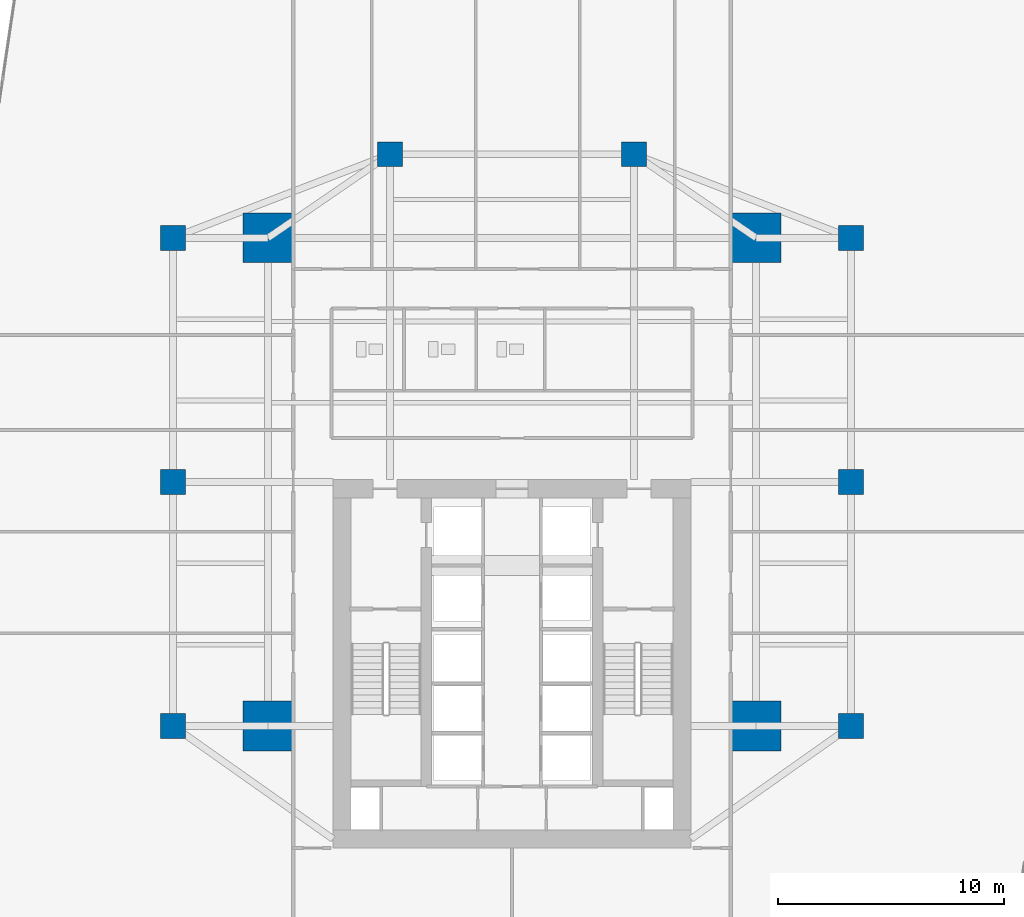
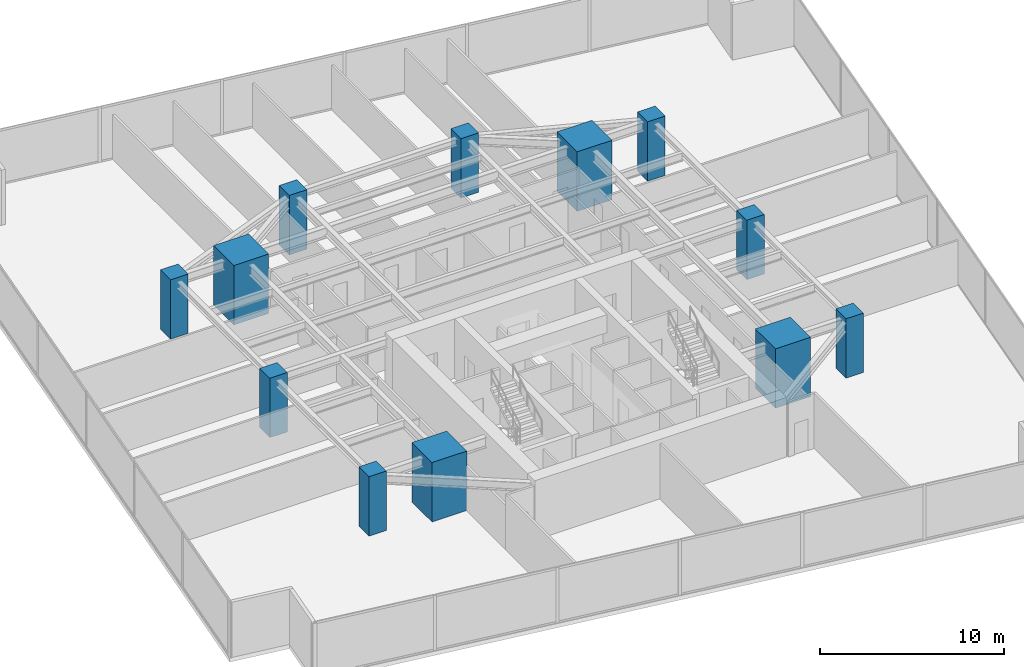
# One storey, part 1 of 29: 12 columns.
"""IFC4 building model written with IfcOpenShell, lengths in metres."""

from ifc_helpers import new_model, si_unit, direction, frame, origin, origin_2d, place, context, subcontext, project, spatial, rectangle, extrude, source, transform, mapped, material, material_profile, profile_set, type_object, type_shapes, element, save


model = new_model("IFC4")

# Units and contexts
model_context = context("Model", 3, precision=1e-05, world=origin(), true_north=direction((0.0, 1.0)))
body_context = subcontext(model_context, "Body", "Model", "MODEL_VIEW")
ifc_project = project(units=[si_unit("LENGTHUNIT", "METRE"), si_unit("AREAUNIT", "SQUARE_METRE"), si_unit("VOLUMEUNIT", "CUBIC_METRE"), si_unit("PLANEANGLEUNIT", "RADIAN"), si_unit("MASSUNIT", "GRAM", prefix="KILO")], contexts=[model_context])

# Site, building, storey
site_placement = place(None, origin())
site = spatial("IfcSite", under=ifc_project, at=site_placement, CompositionType="ELEMENT")
building_placement = place(site_placement, origin())
building = spatial("IfcBuilding", under=site, at=building_placement, Name="Krantzveldt Concourse Tower", CompositionType="ELEMENT")
storey_placement = place(building_placement, frame((0.0, 0.0, 72.39990234375)))
storey = spatial("IfcBuildingStorey", under=building, at=storey_placement, Name="L17", CompositionType="ELEMENT", Elevation=72.39990234375)

# Columns
ifc_material = material(Name="Concrete C60/75", Category="concrete")
ifc_material_profile_1 = material_profile(ifc_material, rectangle(XDim=2.199951171875, YDim=2.199951171875, at=origin_2d()), Name="Concrete C60/75", Category="concrete")
ifc_profile_set_1 = profile_set([ifc_material_profile_1], Name="Concrete C60/75 - RC 2200x2200")
column_type_1 = type_object("IfcColumnType", Name="COL-MC-2200", PredefinedType="USERDEFINED", material=ifc_profile_set_1)
shared_shape_1 = source(origin(), body_context, "Body", "SweptSolid", [
    extrude(rectangle(XDim=2.199951171875, YDim=2.199951171875, at=origin_2d()), origin(), (0.0, 0.0, 1.0), 3.9501953125),
])
type_shapes(column_type_1, [shared_shape_1])
for number, where, z_axis, x_axis, name in (
    (1, (25.199951171875, 15.89990234375, 0.0), (0.0, 0.0, 1.0), (1.0, 0.0, 0.0), "MC-SW-L17"),
    (2, (46.800048828125, 15.89990234375, 0.0), (0.0, 0.0, 1.0), (1.0, 0.0, 0.0), "MC-SE-L17"),
    (3, (46.800048828125, 37.5, 0.0), (0.0, 0.0, 1.0), (1.0, 0.0, 0.0), "MC-NE-L17"),
    (4, (25.199951171875, 37.5, 0.0), (0.0, 0.0, 1.0), (1.0, 0.0, 0.0), "MC-NW-L17"),
):
    element("IfcColumn", number, at=place(storey_placement, frame(where, z_axis=z_axis, x_axis=x_axis)), inside=storey, type_object=column_type_1, Name=name, ObjectType="MEGA COLUMN", PredefinedType="USERDEFINED", context=body_context, shape_type="MappedRepresentation", body=[
        mapped(shared_shape_1, transform((0.0, 0.0, 0.0), x_axis=(1.0, 0.0, 0.0), y_axis=(0.0, 1.0, 0.0), z_axis=(0.0, 0.0, 1.0), scale=1.0)),
    ])
ifc_material_profile_2 = material_profile(ifc_material, rectangle(XDim=1.10009765625, YDim=1.10009765625, at=origin_2d()), Name="Concrete C60/75", Category="concrete")
ifc_profile_set_2 = profile_set([ifc_material_profile_2], Name="Concrete C60/75 - RC 1100x1100")
column_type_2 = type_object("IfcColumnType", Name="COL-C-Z1", PredefinedType="COLUMN", material=ifc_profile_set_2)
shared_shape_2 = source(origin(), body_context, "Body", "SweptSolid", [
    extrude(rectangle(XDim=1.10009765625, YDim=1.10009765625, at=origin_2d()), origin(), (0.0, 0.0, 1.0), 3.9501953125),
])
type_shapes(column_type_2, [shared_shape_2])
for number, where, z_axis, x_axis, name in (
    (5, (21.0, 15.89990234375, 0.0), (0.0, 0.0, 1.0), (1.0, 0.0, 0.0), "PC-R01-L17"),
    (6, (21.0, 26.699951171875, 0.0), (0.0, 0.0, 1.0), (1.0, 0.0, 0.0), "PC-R02-L17"),
    (7, (21.0, 37.5, 0.0), (0.0, 0.0, 1.0), (1.0, 0.0, 0.0), "PC-R03-L17"),
    (8, (30.60009765625, 41.199951171875, 0.0), (0.0, 0.0, 1.0), (1.0, 0.0, 0.0), "PC-R04-L17"),
    (9, (41.39990234375, 41.199951171875, 0.0), (0.0, 0.0, 1.0), (1.0, 0.0, 0.0), "PC-R05-L17"),
    (10, (51.0, 37.5, 0.0), (0.0, 0.0, 1.0), (1.0, 0.0, 0.0), "PC-R06-L17"),
    (11, (51.0, 26.699951171875, 0.0), (0.0, 0.0, 1.0), (1.0, 0.0, 0.0), "PC-R07-L17"),
    (12, (51.0, 15.89990234375, 0.0), (0.0, 0.0, 1.0), (1.0, 0.0, 0.0), "PC-R08-L17"),
):
    element("IfcColumn", number, at=place(storey_placement, frame(where, z_axis=z_axis, x_axis=x_axis)), inside=storey, type_object=column_type_2, Name=name, PredefinedType="COLUMN", context=body_context, shape_type="MappedRepresentation", body=[
        mapped(shared_shape_2, transform((0.0, 0.0, 0.0), x_axis=(1.0, 0.0, 0.0), y_axis=(0.0, 1.0, 0.0), z_axis=(0.0, 0.0, 1.0), scale=1.0)),
    ])

save(model, "model.ifc")
